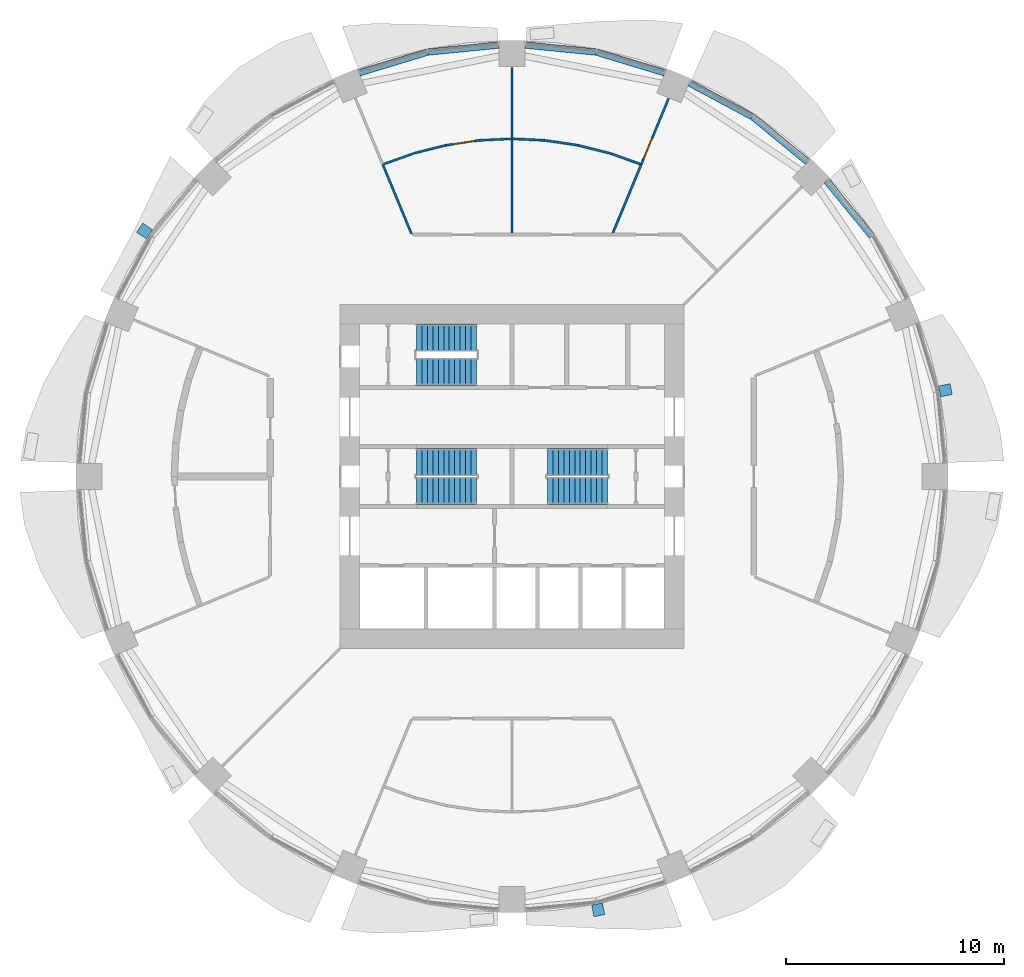
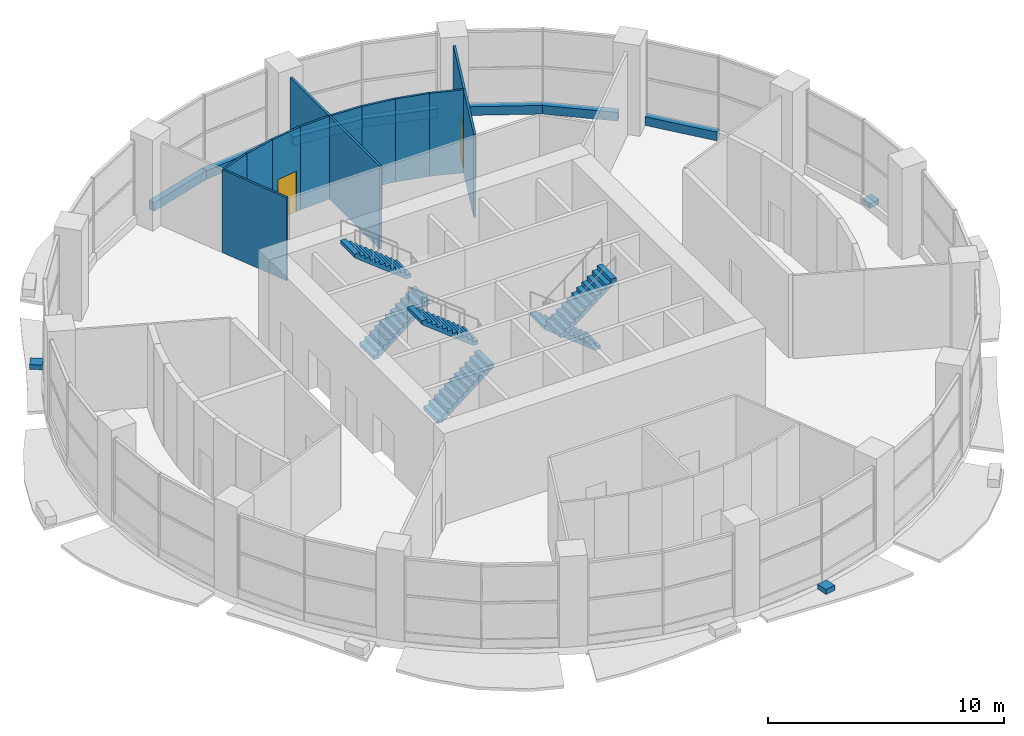
# One storey, part 10 of 14: 20 walls, 6 stair flights, 3 discrete accessories, 2 doors, 2 openings, 3 elements without a shape of their own.
"""IFC4 building model written with IfcOpenShell, lengths in metres."""

from ifc_helpers import new_model, si_unit, direction, frame, frame_2d, origin, place, context, subcontext, project, spatial, polyline, rectangle, outline, extrude, material, layer, layer_set, type_object, element, fill, aggregate, save


model = new_model("IFC4")

# Units and contexts
model_context = context("Model", 3, precision=1e-05, world=origin(), true_north=direction((0.0, 1.0)))
body_context = subcontext(model_context, "Body", "Model", "MODEL_VIEW")
ifc_project = project(units=[si_unit("LENGTHUNIT", "METRE"), si_unit("AREAUNIT", "SQUARE_METRE"), si_unit("VOLUMEUNIT", "CUBIC_METRE"), si_unit("PLANEANGLEUNIT", "RADIAN"), si_unit("MASSUNIT", "GRAM", prefix="KILO")], contexts=[model_context])

# Site, building, storey
site_placement = place(None, origin())
site = spatial("IfcSite", under=ifc_project, at=site_placement, CompositionType="ELEMENT")
building_placement = place(site_placement, origin())
building = spatial("IfcBuilding", under=site, at=building_placement, Name="Polderwave Tower", CompositionType="ELEMENT")
storey_placement = place(building_placement, frame((0.0, 0.0, 5.199951171875)))
storey = spatial("IfcBuildingStorey", under=building, at=storey_placement, Name="L01", CompositionType="ELEMENT", Elevation=5.199951171875)

# Walls
ifc_material_1 = material(Name="Concrete C50/60 (board-marked)", Category="concrete")
ifc_layer_1 = layer(ifc_material_1, 0.300048828125)
ifc_layer_set_1 = layer_set([ifc_layer_1], Name="Concrete spandrel upstand C50/60")
wall_type_1 = type_object("IfcWallType", Name="Concrete spandrel upstand C50/60", PredefinedType="SOLIDWALL", material=ifc_layer_set_1)
for number, where, z_axis, x_axis, name in (
    (1, (16.46142578125, 11.017578125, 0.0), (0.0, 0.0, 1.0), (-0.634190031119, 0.773177214117, 0.0), "Spandrel L01 2b"),
    (2, (13.531494140625, 14.3994140625, 0.0), (0.0, 0.0, 1.0), (-0.773177214117, 0.634190031119, 0.0), "Spandrel L01 3a"),
):
    element("IfcWall", number, at=place(storey_placement, frame(where, z_axis=z_axis, x_axis=x_axis)), inside=storey, type_object=wall_type_1, Name=name, PredefinedType="SOLIDWALL", context=body_context, shape_type="SweptSolid", body=[
        extrude(rectangle(XDim=3.25146484375, YDim=0.300048828125, at=frame_2d((1.625732421875, 0.0))), origin(), (0.0, 0.0, 1.0), 0.449951171875),
    ])
wall_1_placement = place(storey_placement, frame((10.992919921875, 16.47802734375, 0.0), z_axis=(0.0, 0.0, 1.0), x_axis=(-0.881968250723, 0.471308820961, 0.0)))
element("IfcWall", 3, at=wall_1_placement, inside=storey, type_object=wall_type_1, Name="Spandrel L01 3b", PredefinedType="SOLIDWALL", context=body_context, shape_type="SweptSolid", body=[
    extrude(rectangle(XDim=3.25244140625, YDim=0.300048828125, at=frame_2d((1.626220703125, 0.0))), origin(), (0.0, 0.0, 1.0), 0.449951171875),
])
wall_2_placement = place(storey_placement, frame((6.990478515625, 18.48046875, 0.0), z_axis=(0.0, 0.0, 1.0), x_axis=(-0.956935334366, 0.290301164038, 0.0)))
element("IfcWall", 4, at=wall_2_placement, inside=storey, type_object=wall_type_1, Name="Spandrel L01 4a", PredefinedType="SOLIDWALL", context=body_context, shape_type="SweptSolid", body=[
    extrude(rectangle(XDim=3.252197265625, YDim=0.300048828125, at=frame_2d((1.6259765625, 0.0))), origin(), (0.0, 0.0, 1.0), 0.449951171875),
])
for number, where, z_axis, x_axis, name in (
    (5, (3.84912109375, 19.430419921875, 0.0), (0.0, 0.0, 1.0), (-0.995174483923, 0.098121081057, 0.0), "Spandrel L01 4b"),
    (6, (-0.61279296875, 19.74951171875, 0.0), (0.0, 0.0, 1.0), (-0.995174483923, -0.098121081057, 0.0), "Spandrel L01 5a"),
):
    element("IfcWall", number, at=place(storey_placement, frame(where, z_axis=z_axis, x_axis=x_axis)), inside=storey, type_object=wall_type_1, Name=name, PredefinedType="SOLIDWALL", context=body_context, shape_type="SweptSolid", body=[
        extrude(rectangle(XDim=3.251953125, YDim=0.300048828125, at=frame_2d((1.6259765625, 0.0))), origin(), (0.0, 0.0, 1.0), 0.449951171875),
    ])
wall_3_placement = place(storey_placement, frame((-3.87841796875, 19.424560546875, 0.0), z_axis=(0.0, 0.0, 1.0), x_axis=(-0.956935334366, -0.290301164038, 0.0)))
element("IfcWall", 7, at=wall_3_placement, inside=storey, type_object=wall_type_1, Name="Spandrel L01 5b", PredefinedType="SOLIDWALL", context=body_context, shape_type="SweptSolid", body=[
    extrude(rectangle(XDim=3.252197265625, YDim=0.300048828125, at=frame_2d((1.6259765625, 0.0))), origin(), (0.0, 0.0, 1.0), 0.449951171875),
])

# Wall, opening, door
ifc_material_2 = material(Name="Plasterboard on steel studs", Category="steel")
ifc_layer_2 = layer(ifc_material_2, 0.10009765625)
ifc_layer_set_2 = layer_set([ifc_layer_2], Name="Partition 100 mm plasterboard on steel studs")
wall_type_2 = type_object("IfcWallType", Name="Partition 100 mm plasterboard on steel studs", PredefinedType="PARTITIONING", material=ifc_layer_set_2)
wall_4_placement = place(storey_placement, frame((5.916259765625, 14.283203125, 0.0), z_axis=(0.0, 0.0, 1.0), x_axis=(0.382716658507, 0.923865769093, 0.0)))
wall_4 = element("IfcWall", 8, at=wall_4_placement, inside=storey, type_object=wall_type_2, Name="IN-L01-W024", PredefinedType="PARTITIONING", context=body_context, shape_type="SweptSolid", body=[
    extrude(rectangle(XDim=3.27001953125, YDim=0.10009765625, at=frame_2d((1.635009765625, 0.0))), origin(), (0.0, 0.0, 1.0), 4.300048828125),
])
opening_1_placement = place(wall_4_placement, frame((0.300048828125, 0.0, 0.0)))
opening_1 = element("IfcOpeningElement", 9, at=opening_1_placement, cuts=wall_4, Name="Opening L01-D61", PredefinedType="OPENING", context=body_context, shape_type="SweptSolid", body=[
    extrude(rectangle(XDim=1.0, YDim=2.10009765625, at=frame_2d((0.5, 1.050048828125))), frame((0.0, 0.06005859375, 0.0), z_axis=(0.0, -1.0, 0.0), x_axis=(1.0, 0.0, 0.0)), (0.0, 0.0, 1.0), 0.1201171875),
])
ifc_material_3 = material(Name="Timber veneer door leaf", Category="wood")
door_type = type_object("IfcDoorType", Name="Single door 1000 x 2100", OperationType="NOTDEFINED", PredefinedType="DOOR", material=ifc_material_3)
door_1_placement = place(opening_1_placement, origin())
door_1 = element("IfcDoor", 10, at=door_1_placement, inside=storey, type_object=door_type, Name="Door L01-D61", OperationType="SINGLE_SWING_LEFT", OverallHeight=2.10009765625, OverallWidth=1.0, PredefinedType="DOOR", context=body_context, shape_type="SweptSolid", body=[
    extrude(rectangle(XDim=1.0, YDim=2.10009765625, at=frame_2d((0.5, 1.050048828125))), frame((0.0, 0.02490234375, 0.0), z_axis=(0.0, -1.0, 0.0), x_axis=(1.0, 0.0, 0.0)), (0.0, 0.0, 1.0), 0.050048828125),
])
fill(opening_1, door_1)

# Walls
wall_5_placement = place(storey_placement, frame((-5.866943359375, 14.30078125, 0.0), z_axis=(0.0, 0.0, 1.0), x_axis=(0.941545350251, 0.336886261845, 0.0)))
element("IfcWall", 11, at=wall_5_placement, inside=storey, type_object=wall_type_2, Name="IN-L01-W031", PredefinedType="PARTITIONING", context=body_context, shape_type="SweptSolid", body=[
    extrude(rectangle(XDim=1.46240234375, YDim=0.10009765625, at=frame_2d((0.731201171875, 0.0))), origin(), (0.0, 0.0, 1.0), 4.300048828125),
])
wall_6_placement = place(storey_placement, frame((-4.4853515625, 14.794921875, 0.0), z_axis=(0.0, 0.0, 1.0), x_axis=(0.970028424003, 0.242991474388, 0.0)))
element("IfcWall", 12, at=wall_6_placement, inside=storey, type_object=wall_type_2, Name="IN-L01-W032", PredefinedType="PARTITIONING", context=body_context, shape_type="SweptSolid", body=[
    extrude(rectangle(XDim=1.51220703125, YDim=0.10009765625, at=frame_2d((0.756103515625, 0.0))), origin(), (0.0, 0.0, 1.0), 4.300048828125),
])

# Wall, opening, door
wall_7_placement = place(storey_placement, frame((-3.013671875, 15.163330078125, 0.0), z_axis=(0.0, 0.0, 1.0), x_axis=(0.989176578649, 0.146730011422, 0.0)))
wall_7 = element("IfcWall", 13, at=wall_7_placement, inside=storey, type_object=wall_type_2, Name="IN-L01-W033", PredefinedType="PARTITIONING", context=body_context, shape_type="SweptSolid", body=[
    extrude(rectangle(XDim=1.512451171875, YDim=0.10009765625, at=frame_2d((0.75634765625, 0.0))), origin(), (0.0, 0.0, 1.0), 4.300048828125),
])
opening_2_placement = place(wall_7_placement, frame((0.300048828125, 0.0, 0.0)))
opening_2 = element("IfcOpeningElement", 14, at=opening_2_placement, cuts=wall_7, Name="Opening L01-D62", PredefinedType="OPENING", context=body_context, shape_type="SweptSolid", body=[
    extrude(rectangle(XDim=1.0, YDim=2.10009765625, at=frame_2d((0.5, 1.050048828125))), frame((0.0, 0.06005859375, 0.0), z_axis=(0.0, -1.0, 0.0), x_axis=(1.0, 0.0, 0.0)), (0.0, 0.0, 1.0), 0.1201171875),
])
door_2_placement = place(opening_2_placement, origin())
door_2 = element("IfcDoor", 15, at=door_2_placement, inside=storey, type_object=door_type, Name="Door L01-D62", OperationType="SINGLE_SWING_RIGHT", OverallHeight=2.10009765625, OverallWidth=1.0, PredefinedType="DOOR", context=body_context, shape_type="SweptSolid", body=[
    extrude(rectangle(XDim=1.0, YDim=2.10009765625, at=frame_2d((0.5, 1.050048828125))), frame((0.0, 0.02490234375, 0.0), z_axis=(0.0, -1.0, 0.0), x_axis=(1.0, 0.0, 0.0)), (0.0, 0.0, 1.0), 0.050048828125),
])
fill(opening_2, door_2)

# Walls
wall_8_placement = place(storey_placement, frame((-1.5126953125, 15.3857421875, 0.0), z_axis=(0.0, 0.0, 1.0), x_axis=(0.998793780374, 0.049101774773, 0.0)))
element("IfcWall", 16, at=wall_8_placement, inside=storey, type_object=wall_type_2, Name="IN-L01-W034", PredefinedType="PARTITIONING", context=body_context, shape_type="SweptSolid", body=[
    extrude(rectangle(XDim=1.456787109375, YDim=0.10009765625, at=frame_2d((0.728515625, 0.0))), origin(), (0.0, 0.0, 1.0), 4.300048828125),
])
wall_9_placement = place(storey_placement, frame((-4.599853515625, 11.10498046875, 0.0), z_axis=(0.0, 0.0, 1.0), x_axis=(-0.382669369174, 0.92388535755, 0.0)))
element("IfcWall", 17, at=wall_9_placement, inside=storey, type_object=wall_type_2, Name="IN-L01-W035", PredefinedType="PARTITIONING", context=body_context, shape_type="SweptSolid", body=[
    extrude(rectangle(XDim=3.43994140625, YDim=0.10009765625, at=frame_2d((1.719970703125, 0.0))), origin(), (0.0, 0.0, 1.0), 4.300048828125),
])
ifc_material_4 = material(Name="Moisture-resistant board on steel studs, tiled", Category="steel")
ifc_layer_3 = layer(ifc_material_4, 0.10498046875)
ifc_layer_set_3 = layer_set([ifc_layer_3], Name="Partition 105 mm wet room board and tile")
wall_type_3 = type_object("IfcWallType", Name="Partition 105 mm wet room board and tile", PredefinedType="PARTITIONING", material=ifc_layer_set_3)
wall_10_placement = place(storey_placement, frame((4.62109375, 11.156494140625, 0.0), z_axis=(0.0, 0.0, 1.0), x_axis=(0.382693709436, 0.923875275542, 0.0)))
element("IfcWall", 18, at=wall_10_placement, inside=storey, type_object=wall_type_3, Name="IN-L01-W023", PredefinedType="PARTITIONING", context=body_context, shape_type="SweptSolid", body=[
    extrude(rectangle(XDim=3.38427734375, YDim=0.10498046875, at=frame_2d((1.692138671875, 0.0))), origin(), (0.0, 0.0, 1.0), 4.300048828125),
])
wall_11_placement = place(storey_placement, frame((0.0576171875, 15.457275390625, 0.0), z_axis=(0.0, 0.0, 1.0), x_axis=(0.998793780374, -0.049101774773, 0.0)))
element("IfcWall", 19, at=wall_11_placement, inside=storey, type_object=wall_type_3, Name="IN-L01-W025", PredefinedType="PARTITIONING", context=body_context, shape_type="SweptSolid", body=[
    extrude(rectangle(XDim=1.456787109375, YDim=0.10498046875, at=frame_2d((0.728515625, 0.0))), origin(), (0.0, 0.0, 1.0), 4.300048828125),
])
for number, where, z_axis, x_axis, name in (
    (20, (1.517822265625, 15.38525390625, 0.0), (0.0, 0.0, 1.0), (0.989173102511, -0.146753443803, 0.0), "IN-L01-W026"),
    (21, (3.0185546875, 15.162353515625, 0.0), (0.0, 0.0, 1.0), (0.970028424003, -0.242991474388, 0.0), "IN-L01-W027"),
):
    element("IfcWall", number, at=place(storey_placement, frame(where, z_axis=z_axis, x_axis=x_axis)), inside=storey, type_object=wall_type_3, Name=name, PredefinedType="PARTITIONING", context=body_context, shape_type="SweptSolid", body=[
        extrude(rectangle(XDim=1.51220703125, YDim=0.10498046875, at=frame_2d((0.756103515625, 0.0))), origin(), (0.0, 0.0, 1.0), 4.300048828125),
    ])
wall_12_placement = place(storey_placement, frame((4.490234375, 14.79345703125, 0.0), z_axis=(0.0, 0.0, 1.0), x_axis=(0.941548755583, -0.336876744314, 0.0)))
element("IfcWall", 22, at=wall_12_placement, inside=storey, type_object=wall_type_3, Name="IN-L01-W028", PredefinedType="PARTITIONING", context=body_context, shape_type="SweptSolid", body=[
    extrude(rectangle(XDim=1.45947265625, YDim=0.10498046875, at=frame_2d((0.729736328125, 0.0))), origin(), (0.0, 0.0, 1.0), 4.300048828125),
])
wall_13_placement = place(storey_placement, frame((0.0, 11.136474609375, 0.0), z_axis=(0.0, 0.0, 1.0), x_axis=(0.0, 1.0, 0.0)))
element("IfcWall", 23, at=wall_13_placement, inside=storey, type_object=wall_type_3, Name="IN-L01-W029", PredefinedType="PARTITIONING", context=body_context, shape_type="SweptSolid", body=[
    extrude(rectangle(XDim=4.323486328125, YDim=0.10498046875, at=frame_2d((2.16162109375, 0.0))), origin(), (0.0, 0.0, 1.0), 4.300048828125),
])
ifc_material_5 = material(Name="Acoustic double plasterboard on steel studs", Category="steel")
ifc_layer_4 = layer(ifc_material_5, 0.110107421875)
ifc_layer_set_4 = layer_set([ifc_layer_4], Name="Partition 110 mm acoustic double board")
wall_type_4 = type_object("IfcWallType", Name="Partition 110 mm acoustic double board", PredefinedType="PARTITIONING", material=ifc_layer_set_4)
wall_14_placement = place(storey_placement, frame((0.0, 15.4599609375, 0.0), z_axis=(0.0, 0.0, 1.0), x_axis=(0.0, 1.0, 0.0)))
element("IfcWall", 24, at=wall_14_placement, inside=storey, type_object=wall_type_4, Name="IN-L01-W030", PredefinedType="PARTITIONING", context=body_context, shape_type="SweptSolid", body=[
    extrude(rectangle(XDim=3.27001953125, YDim=0.110107421875, at=frame_2d((1.635009765625, 0.0))), origin(), (0.0, 0.0, 1.0), 4.300048828125),
])

# Stair, stair flights
ifc_material_6 = material(Name="Concrete C40/50", Category="concrete")
stair_type = type_object("IfcStairType", Name="Exit stair 1200 x 24 risers", PredefinedType="HALF_TURN_STAIR", material=ifc_material_6)
stair_1_placement = place(storey_placement, origin())
stair_1 = element("IfcStair", 25, at=stair_1_placement, inside=storey, type_object=stair_type, Name="L01 Exit stair A", PredefinedType="HALF_TURN_STAIR")
stair_flight_type = type_object("IfcStairFlightType", Name="Stair flight 1200", PredefinedType="STRAIGHT", material=ifc_material_6)
stair_flight_1_placement = place(storey_placement, frame((-4.3740234375, -0.675048828125, 0.0), z_axis=(0.0, 0.0, 1.0), x_axis=(1.0, 0.0, 0.0)))
stair_flight_1 = element("IfcStairFlight", 26, at=stair_flight_1_placement, type_object=stair_flight_type, Name="ST-A flight 1", NumberOfRisers=12, NumberOfTreads=11, PredefinedType="STRAIGHT", RiserHeight=0.195833333, TreadLength=0.25, context=body_context, shape_type="SweptSolid", body=[
    extrude(outline(polyline([(0.0, 0.0), (0.0, 0.19580078125), (0.25, 0.19580078125), (0.25, 0.3916015625), (0.5, 0.3916015625), (0.5, 0.58740234375), (0.75, 0.58740234375), (0.75, 0.783447265625), (1.0, 0.783447265625), (1.0, 0.979248046875), (1.25, 0.979248046875), (1.25, 1.175048828125), (1.5, 1.175048828125), (1.5, 1.370849609375), (1.75, 1.370849609375), (1.75, 1.566650390625), (2.0, 1.566650390625), (2.0, 1.762451171875), (2.25, 1.762451171875), (2.25, 1.958251953125), (2.5, 1.958251953125), (2.5, 2.154052734375), (2.75, 2.154052734375), (2.75, 2.35009765625), (2.75, 1.9638671875), (0.2431640625, 0.0), (0.0, 0.0)])), frame((0.0, 0.60009765625, 0.0), z_axis=(0.0, -1.0, 0.0), x_axis=(1.0, 0.0, 0.0)), (0.0, 0.0, 1.0), 1.199951171875),
])
stair_flight_2_placement = place(storey_placement, frame((-1.6240234375, 0.675048828125, 2.35009765625), z_axis=(0.0, 0.0, 1.0), x_axis=(-1.0, 0.0, 0.0)))
stair_flight_2 = element("IfcStairFlight", 27, at=stair_flight_2_placement, type_object=stair_flight_type, Name="ST-A flight 2", NumberOfRisers=12, NumberOfTreads=11, PredefinedType="STRAIGHT", RiserHeight=0.195833333, TreadLength=0.25, context=body_context, shape_type="SweptSolid", body=[
    extrude(outline(polyline([(0.0, 0.0), (0.0, 0.19580078125), (0.25, 0.19580078125), (0.25, 0.3916015625), (0.5, 0.3916015625), (0.5, 0.58740234375), (0.75, 0.58740234375), (0.75, 0.783447265625), (1.0, 0.783447265625), (1.0, 0.979248046875), (1.25, 0.979248046875), (1.25, 1.175048828125), (1.5, 1.175048828125), (1.5, 1.370849609375), (1.75, 1.370849609375), (1.75, 1.566650390625), (2.0, 1.566650390625), (2.0, 1.762451171875), (2.25, 1.762451171875), (2.25, 1.958251953125), (2.5, 1.958251953125), (2.5, 2.154052734375), (2.75, 2.154052734375), (2.75, 2.35009765625), (2.75, 1.9638671875), (0.2431640625, 0.0), (0.0, 0.0)])), frame((0.0, 0.60009765625, 0.0), z_axis=(0.0, -1.0, 0.0), x_axis=(1.0, 0.0, 0.0)), (0.0, 0.0, 1.0), 1.199951171875),
])
aggregate(stair_1, [stair_flight_1, stair_flight_2])

stair_2_placement = place(storey_placement, origin())
stair_2 = element("IfcStair", 28, at=stair_2_placement, inside=storey, type_object=stair_type, Name="L01 Exit stair B", PredefinedType="HALF_TURN_STAIR")
stair_flight_3_placement = place(storey_placement, frame((4.3740234375, 0.675048828125, 0.0), z_axis=(0.0, 0.0, 1.0), x_axis=(-1.0, 0.0, 0.0)))
stair_flight_3 = element("IfcStairFlight", 29, at=stair_flight_3_placement, type_object=stair_flight_type, Name="ST-B flight 1", NumberOfRisers=12, NumberOfTreads=11, PredefinedType="STRAIGHT", RiserHeight=0.195833333, TreadLength=0.25, context=body_context, shape_type="SweptSolid", body=[
    extrude(outline(polyline([(0.0, 0.0), (0.0, 0.19580078125), (0.25, 0.19580078125), (0.25, 0.3916015625), (0.5, 0.3916015625), (0.5, 0.58740234375), (0.75, 0.58740234375), (0.75, 0.783447265625), (1.0, 0.783447265625), (1.0, 0.979248046875), (1.25, 0.979248046875), (1.25, 1.175048828125), (1.5, 1.175048828125), (1.5, 1.370849609375), (1.75, 1.370849609375), (1.75, 1.566650390625), (2.0, 1.566650390625), (2.0, 1.762451171875), (2.25, 1.762451171875), (2.25, 1.958251953125), (2.5, 1.958251953125), (2.5, 2.154052734375), (2.75, 2.154052734375), (2.75, 2.35009765625), (2.75, 1.9638671875), (0.2431640625, 0.0), (0.0, 0.0)])), frame((0.0, 0.60009765625, 0.0), z_axis=(0.0, -1.0, 0.0), x_axis=(1.0, 0.0, 0.0)), (0.0, 0.0, 1.0), 1.199951171875),
])
stair_flight_4_placement = place(storey_placement, frame((1.6240234375, -0.675048828125, 2.35009765625), z_axis=(0.0, 0.0, 1.0), x_axis=(1.0, 0.0, 0.0)))
stair_flight_4 = element("IfcStairFlight", 30, at=stair_flight_4_placement, type_object=stair_flight_type, Name="ST-B flight 2", NumberOfRisers=12, NumberOfTreads=11, PredefinedType="STRAIGHT", RiserHeight=0.195833333, TreadLength=0.25, context=body_context, shape_type="SweptSolid", body=[
    extrude(outline(polyline([(0.0, 0.0), (0.0, 0.19580078125), (0.25, 0.19580078125), (0.25, 0.3916015625), (0.5, 0.3916015625), (0.5, 0.58740234375), (0.75, 0.58740234375), (0.75, 0.783447265625), (1.0, 0.783447265625), (1.0, 0.979248046875), (1.25, 0.979248046875), (1.25, 1.175048828125), (1.5, 1.175048828125), (1.5, 1.370849609375), (1.75, 1.370849609375), (1.75, 1.566650390625), (2.0, 1.566650390625), (2.0, 1.762451171875), (2.25, 1.762451171875), (2.25, 1.958251953125), (2.5, 1.958251953125), (2.5, 2.154052734375), (2.75, 2.154052734375), (2.75, 2.35009765625), (2.75, 1.9638671875), (0.2431640625, 0.0), (0.0, 0.0)])), frame((0.0, 0.60009765625, 0.0), z_axis=(0.0, -1.0, 0.0), x_axis=(1.0, 0.0, 0.0)), (0.0, 0.0, 1.0), 1.199951171875),
])
aggregate(stair_2, [stair_flight_3, stair_flight_4])

stair_3_placement = place(storey_placement, origin())
stair_3 = element("IfcStair", 31, at=stair_3_placement, inside=storey, type_object=stair_type, Name="L01 Exit stair C", PredefinedType="HALF_TURN_STAIR")
stair_flight_5_placement = place(storey_placement, frame((-4.3740234375, 4.77392578125, 0.0), z_axis=(0.0, 0.0, 1.0), x_axis=(1.0, 0.0, 0.0)))
stair_flight_5 = element("IfcStairFlight", 32, at=stair_flight_5_placement, type_object=stair_flight_type, Name="ST-C flight 1", NumberOfRisers=12, NumberOfTreads=11, PredefinedType="STRAIGHT", RiserHeight=0.195833333, TreadLength=0.25, context=body_context, shape_type="SweptSolid", body=[
    extrude(outline(polyline([(0.0, 0.0), (0.0, 0.19580078125), (0.25, 0.19580078125), (0.25, 0.3916015625), (0.5, 0.3916015625), (0.5, 0.58740234375), (0.75, 0.58740234375), (0.75, 0.783447265625), (1.0, 0.783447265625), (1.0, 0.979248046875), (1.25, 0.979248046875), (1.25, 1.175048828125), (1.5, 1.175048828125), (1.5, 1.370849609375), (1.75, 1.370849609375), (1.75, 1.566650390625), (2.0, 1.566650390625), (2.0, 1.762451171875), (2.25, 1.762451171875), (2.25, 1.958251953125), (2.5, 1.958251953125), (2.5, 2.154052734375), (2.75, 2.154052734375), (2.75, 2.35009765625), (2.75, 1.9638671875), (0.2431640625, 0.0), (0.0, 0.0)])), frame((0.0, 0.60009765625, 0.0), z_axis=(0.0, -1.0, 0.0), x_axis=(1.0, 0.0, 0.0)), (0.0, 0.0, 1.0), 1.199951171875),
])
stair_flight_6_placement = place(storey_placement, frame((-1.6240234375, 6.3740234375, 2.35009765625), z_axis=(0.0, 0.0, 1.0), x_axis=(-1.0, 0.0, 0.0)))
stair_flight_6 = element("IfcStairFlight", 33, at=stair_flight_6_placement, type_object=stair_flight_type, Name="ST-C flight 2", NumberOfRisers=12, NumberOfTreads=11, PredefinedType="STRAIGHT", RiserHeight=0.195833333, TreadLength=0.25, context=body_context, shape_type="SweptSolid", body=[
    extrude(outline(polyline([(0.0, 0.0), (0.0, 0.19580078125), (0.25, 0.19580078125), (0.25, 0.3916015625), (0.5, 0.3916015625), (0.5, 0.58740234375), (0.75, 0.58740234375), (0.75, 0.783447265625), (1.0, 0.783447265625), (1.0, 0.979248046875), (1.25, 0.979248046875), (1.25, 1.175048828125), (1.5, 1.175048828125), (1.5, 1.370849609375), (1.75, 1.370849609375), (1.75, 1.566650390625), (2.0, 1.566650390625), (2.0, 1.762451171875), (2.25, 1.762451171875), (2.25, 1.958251953125), (2.5, 1.958251953125), (2.5, 2.154052734375), (2.75, 2.154052734375), (2.75, 2.35009765625), (2.75, 1.9638671875), (0.2431640625, 0.0), (0.0, 0.0)])), frame((0.0, 0.60009765625, 0.0), z_axis=(0.0, -1.0, 0.0), x_axis=(1.0, 0.0, 0.0)), (0.0, 0.0, 1.0), 1.199951171875),
])
aggregate(stair_3, [stair_flight_5, stair_flight_6])

# Discrete accessories
ifc_material_7 = material(Name="Steel S355", Category="steel")
discrete_accessory_type = type_object("IfcDiscreteAccessoryType", Name="Band bracket pad", PredefinedType="BRACKET", material=ifc_material_7)
discrete_accessory_1_placement = place(storey_placement, frame((0.0, 0.0, -0.25)))
element("IfcDiscreteAccessory", 34, at=discrete_accessory_1_placement, inside=storey, type_object=discrete_accessory_type, Name="Band bracket L01 1", PredefinedType="BRACKET", context=body_context, shape_type="SweptSolid", body=[
    extrude(outline(polyline([(19.61328125, 3.646728515625), (19.576416015625, 3.89404296875), (19.515625, 4.136474609375), (20.0537109375, 4.25048828125), (20.15380859375, 3.747314453125), (19.61328125, 3.646728515625)])), origin(), (0.0, 0.0, 1.0), 0.25),
])
discrete_accessory_2_placement = place(storey_placement, frame((0.0, 0.0, -0.25)))
element("IfcDiscreteAccessory", 35, at=discrete_accessory_2_placement, inside=storey, type_object=discrete_accessory_type, Name="Band bracket L01 7", PredefinedType="BRACKET", context=body_context, shape_type="SweptSolid", body=[
    extrude(outline(polyline([(-16.447265625, 11.2900390625), (-16.59619140625, 11.089111328125), (-16.724609375, 10.874755859375), (-17.185791015625, 11.174560546875), (-16.900634765625, 11.601318359375), (-16.447265625, 11.2900390625)])), origin(), (0.0, 0.0, 1.0), 0.25),
])
discrete_accessory_3_placement = place(storey_placement, frame((0.0, 0.0, -0.25)))
element("IfcDiscreteAccessory", 36, at=discrete_accessory_3_placement, inside=storey, type_object=discrete_accessory_type, Name="Band bracket L01 13", PredefinedType="BRACKET", context=body_context, shape_type="SweptSolid", body=[
    extrude(outline(polyline([(3.646728515625, -19.61328125), (3.89404296875, -19.576416015625), (4.136474609375, -19.515625), (4.25048828125, -20.0537109375), (3.747314453125, -20.15380859375), (3.646728515625, -19.61328125)])), origin(), (0.0, 0.0, 1.0), 0.25),
])

save(model, "model.ifc")
